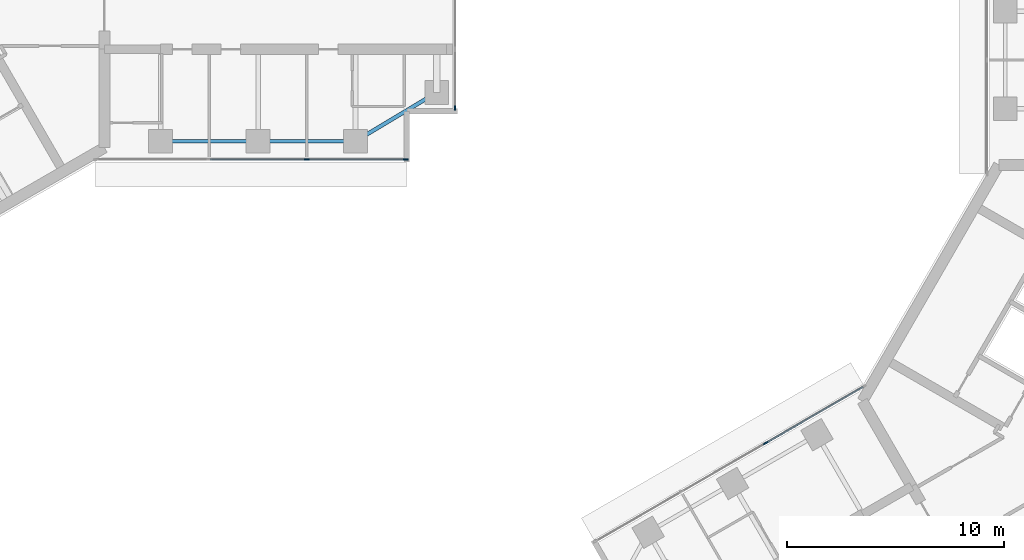
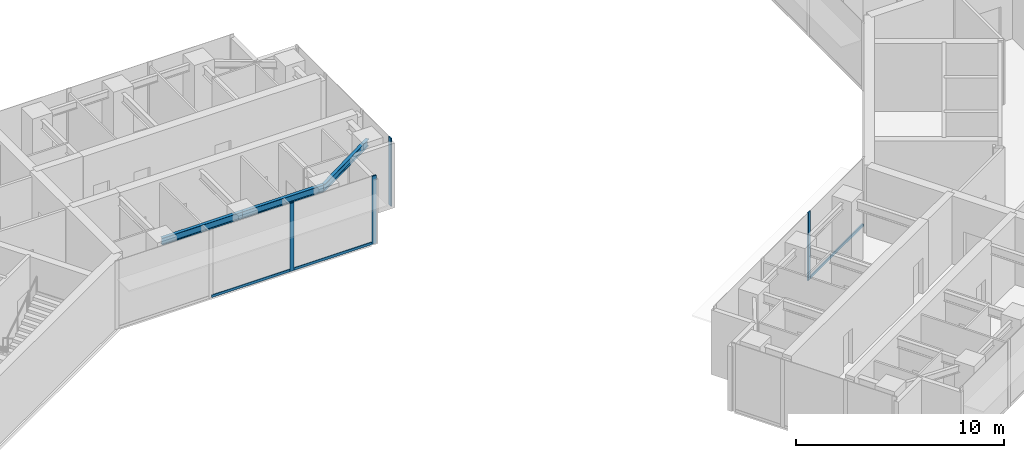
# One storey, part 4 of 18: 7 members, 3 beams, 3 elements without a shape of their own.
"""IFC4 building model written with IfcOpenShell, lengths in metres."""

from ifc_helpers import new_model, si_unit, direction, frame, origin, origin_2d, place, context, subcontext, project, spatial, rectangle, i_section, extrude, material, material_profile, profile_set, type_object, element, aggregate, save


model = new_model("IFC4")

# Units and contexts
model_context = context("Model", 3, precision=1e-05, world=origin(), true_north=direction((0.0, 1.0)))
body_context = subcontext(model_context, "Body", "Model", "MODEL_VIEW")
ifc_project = project(units=[si_unit("LENGTHUNIT", "METRE"), si_unit("AREAUNIT", "SQUARE_METRE"), si_unit("VOLUMEUNIT", "CUBIC_METRE"), si_unit("PLANEANGLEUNIT", "RADIAN"), si_unit("MASSUNIT", "GRAM", prefix="KILO")], contexts=[model_context])

# Site, building, storey
site_placement = place(None, origin())
site = spatial("IfcSite", under=ifc_project, at=site_placement, CompositionType="ELEMENT")
building_placement = place(site_placement, origin())
building = spatial("IfcBuilding", under=site, at=building_placement, Name="Upepo Twin Towers", CompositionType="ELEMENT")
storey_placement = place(building_placement, frame((0.0, 0.0, 218.5)))
storey = spatial("IfcBuildingStorey", under=building, at=storey_placement, Name="L53", CompositionType="ELEMENT", Elevation=218.5)

# Beams
ifc_material_1 = material(Name="Steel S355", Category="steel")
ifc_material_profile_1 = material_profile(ifc_material_1, i_section(OverallWidth=0.177978515625, OverallDepth=0.406494140625, WebThickness=0.0078125, FlangeThickness=0.0126953125, FilletRadius=0.01025390625, at=origin_2d()), Name="UB 406x178x60")
ifc_profile_set_1 = profile_set([ifc_material_profile_1], Name="Steel S355")
beam_type = type_object("IfcBeamType", Name="Beam UB 406x178x60", PredefinedType="BEAM", material=ifc_profile_set_1)
for number, where, z_axis, x_axis, name in (
    (1, (13.5, -6.0, 3.5966796875), (1.0, 0.0, 0.0), (0.0, 1.0, 0.0), "T1 edge beam AR 13.5-18.0"),
    (2, (18.0, -6.0, 3.5966796875), (1.0, 0.0, 0.0), (0.0, 1.0, 0.0), "T1 edge beam AR 18.0-22.5"),
):
    element("IfcBeam", number, at=place(storey_placement, frame(where, z_axis=z_axis, x_axis=x_axis)), inside=storey, type_object=beam_type, Name=name, PredefinedType="BEAM", context=body_context, shape_type="SweptSolid", body=[
        extrude(i_section(OverallWidth=0.177978515625, OverallDepth=0.406494140625, WebThickness=0.0078125, FlangeThickness=0.0126953125, FilletRadius=0.01025390625, at=origin_2d()), origin(), (0.0, 0.0, 1.0), 4.5),
    ])
beam_placement = place(storey_placement, frame((22.5, -6.0, 3.5966796875), z_axis=(0.857492925713, 0.514495755428, 0.0), x_axis=(-0.514495755428, 0.857492925713, 0.0)))
element("IfcBeam", 3, at=beam_placement, inside=storey, type_object=beam_type, Name="T1 nose edge beam AR", PredefinedType="BEAM", context=body_context, shape_type="SweptSolid", body=[
    extrude(i_section(OverallWidth=0.177978515625, OverallDepth=0.406494140625, WebThickness=0.0078125, FlangeThickness=0.0126953125, FilletRadius=0.01025390625, at=origin_2d()), origin(), (0.0, 0.0, 1.0), 4.373291015625),
])

# Curtain wall, members
ifc_material_2 = material(Name="Aluminium and fritted glass", Category="aluminium")
curtain_wall_type = type_object("IfcCurtainWallType", Name="Tower curtain wall TW3, fritted glass", PredefinedType="NOTDEFINED", material=ifc_material_2)
curtain_wall_1_placement = place(storey_placement, origin())
curtain_wall_1 = element("IfcCurtainWall", 4, at=curtain_wall_1_placement, inside=storey, type_object=curtain_wall_type, Name="T1 L53 wing A flank R curtain wall", PredefinedType="NOTDEFINED")
ifc_material_3 = material(Name="Aluminium mullion", Category="aluminium")
ifc_material_profile_2 = material_profile(ifc_material_3, rectangle(XDim=0.06494140625, YDim=0.22509765625, at=origin_2d()), Name="MULLION 65x225")
ifc_profile_set_2 = profile_set([ifc_material_profile_2], Name="Aluminium mullion")
member_type_1 = type_object("IfcMemberType", Name="Mullion 65x225 TW3", PredefinedType="MULLION", material=ifc_profile_set_2)
member_1_placement = place(storey_placement, frame((24.8173828125, -6.85009765625, 0.0), z_axis=(0.0, 0.0, 1.0), x_axis=(0.0, -1.0, 0.0)))
member_1 = element("IfcMember", 5, at=member_1_placement, type_object=member_type_1, Name="T1 L53 wing A flank R curtain wall mullion 1", PredefinedType="MULLION", context=body_context, shape_type="SweptSolid", body=[
    extrude(rectangle(XDim=0.06494140625, YDim=0.22509765625, at=origin_2d()), origin(), (0.0, 0.0, 1.0), 4.0),
])
member_2_placement = place(storey_placement, frame((20.25, -6.85009765625, 0.0), z_axis=(0.0, 0.0, 1.0), x_axis=(0.0, -1.0, 0.0)))
member_2 = element("IfcMember", 6, at=member_2_placement, type_object=member_type_1, Name="T1 L53 wing A flank R curtain wall mullion 2", PredefinedType="MULLION", context=body_context, shape_type="SweptSolid", body=[
    extrude(rectangle(XDim=0.06494140625, YDim=0.22509765625, at=origin_2d()), origin(), (0.0, 0.0, 1.0), 4.0),
])

# Curtain wall, member
curtain_wall_2_placement = place(storey_placement, origin())
curtain_wall_2 = element("IfcCurtainWall", 7, at=curtain_wall_2_placement, inside=storey, type_object=curtain_wall_type, Name="T1 L53 wing A nose curtain wall", PredefinedType="NOTDEFINED")
member_3_placement = place(storey_placement, frame((27.10009765625, -4.467529296875, 0.0), z_axis=(0.0, 0.0, 1.0), x_axis=(-1.0, 0.0, 0.0)))
member_3 = element("IfcMember", 8, at=member_3_placement, type_object=member_type_1, Name="T1 L53 wing A nose curtain wall mullion 1", PredefinedType="MULLION", context=body_context, shape_type="SweptSolid", body=[
    extrude(rectangle(XDim=0.06494140625, YDim=0.22509765625, at=origin_2d()), origin(), (0.0, 0.0, 1.0), 4.0),
])
aggregate(curtain_wall_2, [member_3])

curtain_wall_3_placement = place(storey_placement, origin())
curtain_wall_3 = element("IfcCurtainWall", 9, at=curtain_wall_3_placement, inside=storey, type_object=curtain_wall_type, Name="T2 L53 wing B flank R curtain wall", PredefinedType="NOTDEFINED")
member_4_placement = place(storey_placement, frame((41.43505859375, -19.942626953125, 0.0), z_axis=(0.0, 0.0, 1.0), x_axis=(-0.500000026527, 0.866025388469, 0.0)))
member_4 = element("IfcMember", 10, at=member_4_placement, type_object=member_type_1, Name="T2 L53 wing B flank R curtain wall mullion 3", PredefinedType="MULLION", context=body_context, shape_type="SweptSolid", body=[
    extrude(rectangle(XDim=0.06494140625, YDim=0.22509765625, at=origin_2d()), origin(), (0.0, 0.0, 1.0), 4.0),
])

# Member
ifc_material_4 = material(Name="Aluminium transom", Category="aluminium")
ifc_material_profile_3 = material_profile(ifc_material_4, rectangle(XDim=0.06494140625, YDim=0.14990234375, at=origin_2d()), Name="TRANSOM 65x150")
ifc_profile_set_3 = profile_set([ifc_material_profile_3], Name="Aluminium transom")
member_type_2 = type_object("IfcMemberType", Name="Transom 65x150 TW3", PredefinedType="USERDEFINED", material=ifc_profile_set_3)
member_5_placement = place(storey_placement, frame((24.784912109375, -6.85009765625, 0.074951171875), z_axis=(-1.0, 0.0, 0.0), x_axis=(0.0, -1.0, 0.0)))
member_5 = element("IfcMember", 11, at=member_5_placement, type_object=member_type_2, Name="T1 L53 wing A flank R curtain wall transom 1", ObjectType="TRANSOM", PredefinedType="USERDEFINED", context=body_context, shape_type="SweptSolid", body=[
    extrude(rectangle(XDim=0.06494140625, YDim=0.14990234375, at=origin_2d()), origin(), (0.0, 0.0, 1.0), 4.50244140625),
])

member_6_placement = place(storey_placement, frame((20.217529296875, -6.85009765625, 0.074951171875), z_axis=(-1.0, 0.0, 0.0), x_axis=(0.0, -1.0, 0.0)))
member_6 = element("IfcMember", 12, at=member_6_placement, type_object=member_type_2, Name="T1 L53 wing A flank R curtain wall transom 2", ObjectType="TRANSOM", PredefinedType="USERDEFINED", context=body_context, shape_type="SweptSolid", body=[
    extrude(rectangle(XDim=0.06494140625, YDim=0.14990234375, at=origin_2d()), origin(), (0.0, 0.0, 1.0), 4.43505859375),
])

aggregate(curtain_wall_1, [member_1, member_2, member_5, member_6])

member_7_placement = place(storey_placement, frame((41.463134765625, -19.926513671875, 0.074951171875), z_axis=(0.86602108507, 0.500007480159, 0.0), x_axis=(-0.500007480159, 0.86602108507, 0.0)))
member_7 = element("IfcMember", 13, at=member_7_placement, type_object=member_type_2, Name="T2 L53 wing B flank R curtain wall transom 3", ObjectType="TRANSOM", PredefinedType="USERDEFINED", context=body_context, shape_type="SweptSolid", body=[
    extrude(rectangle(XDim=0.06494140625, YDim=0.14990234375, at=origin_2d()), origin(), (0.0, 0.0, 1.0), 5.16552734375),
])

aggregate(curtain_wall_3, [member_4, member_7])

save(model, "model.ifc")
